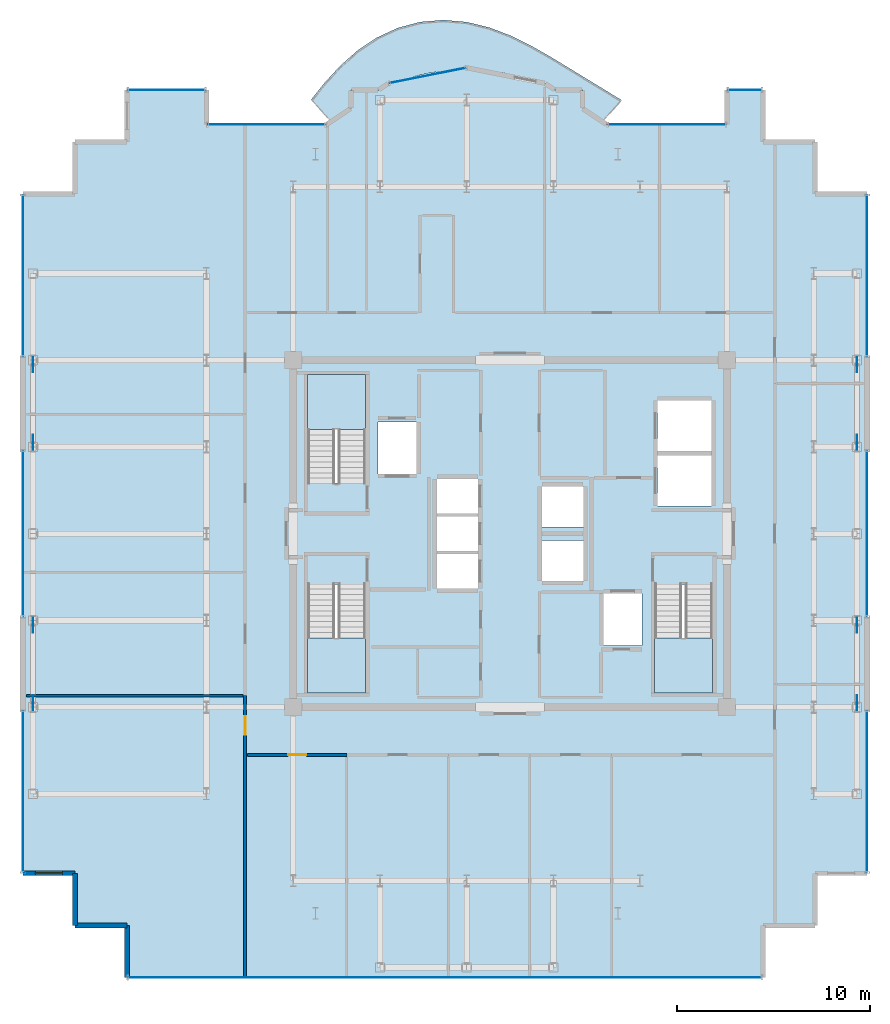
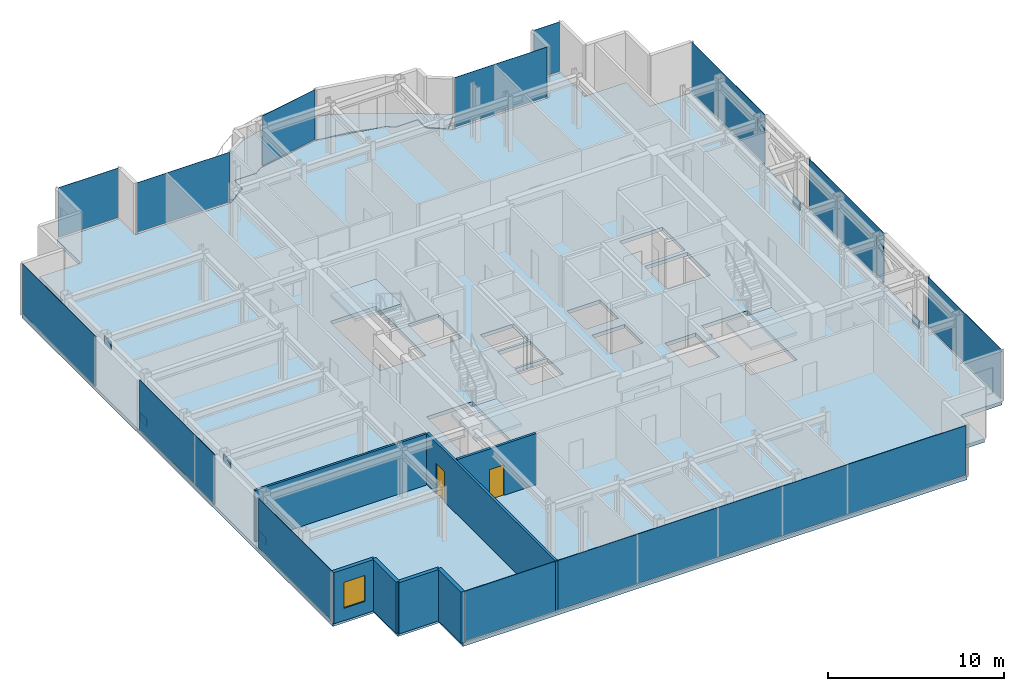
# One storey, part 10 of 16: 20 plates, 7 walls, 5 slabs, 2 doors, 1 window, 3 openings, 15 elements without a shape of their own.
"""IFC4 building model written with IfcOpenShell, lengths in metres."""

import ifcopenshell
import ifcopenshell.guid

model = None  # the IFC model being written
_history = None  # IfcOwnerHistory: only IFC2X3 demands one
_inside = {}  # id of a spatial element -> (the spatial element, [elements in it])
_under = {}  # id of a project, library or spatial element -> (it, [spatial elements below it])
_declared = {}  # id of a project -> (the project, [libraries it declares])
_typed = {}  # id of a type object -> (the type object, [elements of that type])
_made_of = {}  # id of a material, layer set ... -> (it, [elements and type objects made of it])


def new_model(schema):
    """Start an empty IFC model of exactly this schema.

    Asked for "IFC4X3", IfcOpenShell would pick the latest addendum, in which some entities
    have other attributes; the version numbers below select the first issue.
    IFC2X3 requires an IfcOwnerHistory on every rooted entity: one is made here for all.
    """
    global model, _history
    if schema == "IFC4X3":
        model = ifcopenshell.file(schema_version=(4, 3, 0, 0))
    else:
        model = ifcopenshell.file(schema=schema)
    _inside.clear()
    _under.clear()
    _declared.clear()
    _typed.clear()
    _made_of.clear()
    _history = None
    if model.schema == "IFC2X3":
        org = make("IfcOrganization", Name="unknown")
        user = make(
            "IfcPersonAndOrganization",
            ThePerson=make("IfcPerson", FamilyName="unknown"),
            TheOrganization=org,
        )
        app = make(
            "IfcApplication",
            ApplicationDeveloper=org,
            Version="unknown",
            ApplicationFullName="unknown",
            ApplicationIdentifier="unknown",
        )
        _history = make(
            "IfcOwnerHistory",
            OwningUser=user,
            OwningApplication=app,
            ChangeAction="ADDED",
            CreationDate=0,
        )
    return model


def make(cls, **values):
    """One entity of the class cls with the attributes given. An attribute that is None is left unset."""
    return model.create_entity(
        cls, **{name: value for name, value in values.items() if value is not None}
    )


def rooted(cls, **values):
    """An entity with a GlobalId (a new one), such as an element, a storey or a relation."""
    return make(cls, GlobalId=ifcopenshell.guid.new(), OwnerHistory=_history, **values)


def si_unit(unit_type, name, prefix=None):
    """IfcSIUnit, for example si_unit("LENGTHUNIT", "METRE", prefix="MILLI")."""
    return make("IfcSIUnit", UnitType=unit_type, Prefix=prefix, Name=name)


def assignment(units):
    """IfcUnitAssignment: the units of a project."""
    return None if units is None else make("IfcUnitAssignment", Units=units)


def point(xyz):
    """IfcCartesianPoint."""
    return None if xyz is None else make("IfcCartesianPoint", Coordinates=xyz)


def direction(xyz):
    """IfcDirection."""
    return None if xyz is None else make("IfcDirection", DirectionRatios=xyz)


def frame(location, z_axis=None, x_axis=None):
    """IfcAxis2Placement3D, a coordinate frame: its origin and axes. An axis left out is left unset."""
    return make(
        "IfcAxis2Placement3D",
        Location=point(location),
        Axis=direction(z_axis),
        RefDirection=direction(x_axis),
    )


def frame_2d(location, x_axis=None):
    """IfcAxis2Placement2D, a coordinate frame in the plane: its origin and x axis."""
    return make(
        "IfcAxis2Placement2D", Location=point(location), RefDirection=direction(x_axis)
    )


def origin():
    """The frame at (0, 0, 0) with its axes left unset."""
    return frame((0.0, 0.0, 0.0))


def origin_2d():
    """The frame at (0, 0) in the plane with its x axis left unset."""
    return frame_2d((0.0, 0.0))


def place(relative_to, where):
    """IfcLocalPlacement: puts the frame where relative to a parent placement (None: the world)."""
    return make(
        "IfcLocalPlacement", PlacementRelTo=relative_to, RelativePlacement=where
    )


def context(
    kind, dimensions, precision=None, world=None, true_north=None, identifier=None
):
    """IfcGeometricRepresentationContext, for example the 3D "Model" context."""
    return make(
        "IfcGeometricRepresentationContext",
        ContextIdentifier=identifier,
        ContextType=kind,
        CoordinateSpaceDimension=dimensions,
        Precision=precision,
        WorldCoordinateSystem=world,
        TrueNorth=true_north,
    )


def subcontext(parent, identifier, kind, view, scale=None):
    """IfcGeometricRepresentationSubContext, for example "Body" below "Model"."""
    return make(
        "IfcGeometricRepresentationSubContext",
        ContextIdentifier=identifier,
        ContextType=kind,
        ParentContext=parent,
        TargetScale=scale,
        TargetView=view,
    )


def project(units=None, contexts=None):
    """IfcProject with its units and contexts."""
    return rooted(
        "IfcProject",
        Name="project",
        RepresentationContexts=contexts,
        UnitsInContext=assignment(units),
    )


def spatial(cls, under=None, at=None, **own):
    """A site, building, storey or space (cls), placed at a placement, below another one or the project."""
    s = rooted(cls, ObjectPlacement=at, **own)
    if under is not None:
        _under.setdefault(under.id(), (under, []))[1].append(s)
    return s


def polyline(points):
    """IfcPolyline through the points."""
    return make("IfcPolyline", Points=[point(p) for p in points])


def profile(cls, at=None, kind="AREA", **sizes):
    """A parametric profile (cls). Its sizes go by their IFC names, for example OverallWidth=200.0."""
    return make(cls, ProfileType=kind, Position=at, **sizes)


def rectangle(**sizes):
    """IfcRectangleProfileDef."""
    return profile("IfcRectangleProfileDef", **sizes)


def outline(outer, holes=None, kind="AREA"):
    """IfcArbitraryClosedProfileDef: a profile drawn as a closed curve; with holes, ...WithVoids."""
    if holes is None:
        return make("IfcArbitraryClosedProfileDef", ProfileType=kind, OuterCurve=outer)
    return make(
        "IfcArbitraryProfileDefWithVoids",
        ProfileType=kind,
        OuterCurve=outer,
        InnerCurves=holes,
    )


def extrude(swept, where, along, depth):
    """IfcExtrudedAreaSolid: the profile swept, set in the frame where, extruded along a direction by depth."""
    return make(
        "IfcExtrudedAreaSolid",
        SweptArea=swept,
        Position=where,
        ExtrudedDirection=direction(along),
        Depth=depth,
    )


def shape(context_of_items, identifier, shape_type, items):
    """IfcShapeRepresentation: the items that make up one representation, for example the "Body"."""
    return make(
        "IfcShapeRepresentation",
        ContextOfItems=context_of_items,
        RepresentationIdentifier=identifier,
        RepresentationType=shape_type,
        Items=items,
    )


def source(mapping_origin, context_of_items, identifier, shape_type, items):
    """IfcRepresentationMap: a shape defined once, which mapped items show again and again."""
    return make(
        "IfcRepresentationMap",
        MappingOrigin=mapping_origin,
        MappedRepresentation=shape(context_of_items, identifier, shape_type, items),
    )


def transform(
    local_origin,
    x_axis=None,
    y_axis=None,
    z_axis=None,
    scale=None,
    scale2=None,
    scale3=None,
    uniform=True,
):
    """IfcCartesianTransformationOperator3D, or its non-uniform kind. x_axis, y_axis, z_axis: its Axis1, 2, 3."""
    if uniform:
        return make(
            "IfcCartesianTransformationOperator3D",
            Axis1=direction(x_axis),
            Axis2=direction(y_axis),
            LocalOrigin=point(local_origin),
            Scale=scale,
            Axis3=direction(z_axis),
        )
    return make(
        "IfcCartesianTransformationOperator3DnonUniform",
        Axis1=direction(x_axis),
        Axis2=direction(y_axis),
        LocalOrigin=point(local_origin),
        Scale=scale,
        Axis3=direction(z_axis),
        Scale2=scale2,
        Scale3=scale3,
    )


def mapped(mapping_source, mapping_target):
    """IfcMappedItem: shows the shape of a source again, moved by a transform."""
    return make(
        "IfcMappedItem", MappingSource=mapping_source, MappingTarget=mapping_target
    )


def material(Name=None, Category=None):
    """IfcMaterial."""
    return make("IfcMaterial", Name=Name, Category=Category)


def layer(
    of_material, thickness, ventilated=None, Name=None, Category=None, Priority=None
):
    """IfcMaterialLayer: one layer of a wall or slab, of a material (None: an air gap)."""
    return make(
        "IfcMaterialLayer",
        Material=of_material,
        LayerThickness=thickness,
        IsVentilated=ventilated,
        Name=Name,
        Category=Category,
        Priority=Priority,
    )


def layer_set(layers, Name=None):
    """IfcMaterialLayerSet."""
    return make("IfcMaterialLayerSet", MaterialLayers=layers, LayerSetName=Name)


def made_of(thing, what):
    """Note that an element or type object is made of a material, layer set ...; save() writes the relation."""
    if what is not None:
        _made_of.setdefault(what.id(), (what, []))[1].append(thing)
    return thing


def type_object(cls, material=None, **own):
    """A type object (cls), such as IfcWallType, which elements share."""
    return made_of(rooted(cls, **own), material)


def element(
    cls,
    number,
    at=None,
    inside=None,
    cuts=None,
    type_object=None,
    material=None,
    context=None,
    identifier="Body",
    shape_type=None,
    held_by="IfcProductDefinitionShape",
    body=None,
    shapes=None,
    **own,
):
    """One element of the class cls, such as IfcWall. Its Tag is "e" and its number.

    at: its placement. inside: the storey or other place that contains it. cuts: it is an
    opening in that element (IfcRelVoidsElement). A single representation is given by context,
    identifier, shape_type and body (its items); several are given by shapes. held_by: the class
    of the entity that holds the representations. save() writes the other relations.
    """
    e = rooted(cls, Tag="e%d" % number, ObjectPlacement=at, **own)
    if body is not None:
        shapes = [shape(context, identifier, shape_type, body)]
    if shapes is not None:
        e.Representation = make(held_by, Representations=shapes)
    if inside is not None:
        _inside.setdefault(inside.id(), (inside, []))[1].append(e)
    if cuts is not None:
        rooted(
            "IfcRelVoidsElement", RelatingBuildingElement=cuts, RelatedOpeningElement=e
        )
    if type_object is not None:
        _typed.setdefault(type_object.id(), (type_object, []))[1].append(e)
    return made_of(e, material)


def fill(opening, filler):
    """IfcRelFillsElement: the door or window that sits in an opening."""
    return rooted(
        "IfcRelFillsElement",
        RelatingOpeningElement=opening,
        RelatedBuildingElement=filler,
    )


def aggregate(whole, parts):
    """IfcRelAggregates: a whole, such as a stair, and the parts it consists of."""
    return rooted("IfcRelAggregates", RelatingObject=whole, RelatedObjects=parts)


def save(model, path):
    """Write the relations noted so far, then the file.

    IfcRelAggregates (storeys below a building ...), IfcRelContainedInSpatialStructure (elements
    in a storey), IfcRelDefinesByType, IfcRelAssociatesMaterial and IfcRelDeclares: one each for
    every whole, place, type object, material and project.
    """
    for whole, parts in _under.values():
        aggregate(whole, parts)
    for where, things in _inside.values():
        rooted(
            "IfcRelContainedInSpatialStructure",
            RelatedElements=things,
            RelatingStructure=where,
        )
    for kind, things in _typed.values():
        rooted("IfcRelDefinesByType", RelatedObjects=things, RelatingType=kind)
    for what, things in _made_of.values():
        rooted("IfcRelAssociatesMaterial", RelatedObjects=things, RelatingMaterial=what)
    for by, libraries in _declared.values():
        rooted("IfcRelDeclares", RelatingContext=by, RelatedDefinitions=libraries)
    model.write(path)


model = new_model("IFC4")

# Units and contexts
model_context = context("Model", 3, precision=1e-05, world=origin(), true_north=direction((0.0, 1.0)))
body_context = subcontext(model_context, "Body", "Model", "MODEL_VIEW")
ifc_project = project(units=[si_unit("LENGTHUNIT", "METRE"), si_unit("AREAUNIT", "SQUARE_METRE"), si_unit("VOLUMEUNIT", "CUBIC_METRE"), si_unit("PLANEANGLEUNIT", "RADIAN"), si_unit("MASSUNIT", "GRAM", prefix="KILO")], contexts=[model_context])

# Site, building, storey
site_placement = place(None, origin())
site = spatial("IfcSite", under=ifc_project, at=site_placement, CompositionType="ELEMENT")
building_placement = place(site_placement, origin())
building = spatial("IfcBuilding", under=site, at=building_placement, Name="Nefas-Gora Pilgrimage Tower", CompositionType="ELEMENT")
storey_placement = place(building_placement, frame((0.0, 0.0, 322.39990234375)))
storey = spatial("IfcBuildingStorey", under=building, at=storey_placement, Name="L81", CompositionType="ELEMENT", Elevation=322.39990234375)

# Slabs
ifc_material_1 = material(Name="Concrete C40/50", Category="concrete")
ifc_layer_1 = layer(ifc_material_1, 0.22998046875)
ifc_layer_set_1 = layer_set([ifc_layer_1], Name="Concrete C40/50")
slab_type_1 = type_object("IfcSlabType", Name="SLB-BAL-P5", PredefinedType="FLOOR", material=ifc_layer_set_1)
slab_1_placement = place(storey_placement, frame((0.0, 0.0, -0.22998046875)))
element("IfcSlab", 1, at=slab_1_placement, inside=storey, type_object=slab_type_1, Name="L81 Sinusoidal Lobe Balcony Slab N (Phase 5)", PredefinedType="FLOOR", context=body_context, shape_type="SweptSolid", body=[
    extrude(outline(polyline([(-9.28759765625, 21.385986328125), (-9.224609375, 21.427978515625), (-8.538330078125, 21.9912109375), (-8.260009765625, 22.179931640625), (-8.260009765625, 23.02001953125), (-8.260009765625, 23.02099609375), (-8.259765625, 23.02197265625), (-8.259521484375, 23.02294921875), (-8.25927734375, 23.023681640625), (-8.2587890625, 23.024658203125), (-8.25830078125, 23.025634765625), (-8.2578125, 23.0263671875), (-8.257080078125, 23.027099609375), (-8.25634765625, 23.027587890625), (-8.255615234375, 23.0283203125), (-8.254638671875, 23.02880859375), (-8.25390625, 23.029296875), (-8.2529296875, 23.029541015625), (-8.251953125, 23.02978515625), (-8.2509765625, 23.030029296875), (-8.25, 23.030029296875), (-6.8271484375, 23.030029296875), (-6.31298828125, 23.37353515625), (-6.31201171875, 23.3740234375), (-6.311279296875, 23.37451171875), (-6.310302734375, 23.375), (-6.309326171875, 23.375), (-5.63037109375, 23.51025390625), (-5.102783203125, 23.685302734375), (-4.165283203125, 23.904052734375), (-3.211669921875, 24.035888671875), (-2.919921875, 24.04931640625), (-2.251953125, 24.18212890625), (-2.2509765625, 24.182373046875), (-2.25, 24.182373046875), (-2.2490234375, 24.182373046875), (-2.248046875, 24.18212890625), (-1.580078125, 24.04931640625), (-1.288330078125, 24.035888671875), (-0.334716796875, 23.904052734375), (0.602783203125, 23.685302734375), (1.13037109375, 23.51025390625), (1.809326171875, 23.375), (1.810302734375, 23.375), (1.811279296875, 23.37451171875), (1.81201171875, 23.3740234375), (1.81298828125, 23.37353515625), (2.3271484375, 23.030029296875), (3.75, 23.030029296875), (3.7509765625, 23.030029296875), (3.751953125, 23.02978515625), (3.7529296875, 23.029541015625), (3.75390625, 23.029296875), (3.754638671875, 23.02880859375), (3.755615234375, 23.0283203125), (3.75634765625, 23.027587890625), (3.757080078125, 23.027099609375), (3.7578125, 23.0263671875), (3.75830078125, 23.025634765625), (3.7587890625, 23.024658203125), (3.75927734375, 23.023681640625), (3.759521484375, 23.02294921875), (3.759765625, 23.02197265625), (3.760009765625, 23.02099609375), (3.760009765625, 23.02001953125), (3.760009765625, 22.179931640625), (4.038330078125, 21.9912109375), (4.724609375, 21.427978515625), (4.78759765625, 21.385986328125), (5.782958984375, 22.491455078125), (4.843017578125, 23.068603515625), (3.91552734375, 23.631103515625), (2.99072265625, 24.197265625), (2.048583984375, 24.768310546875), (1.06591796875, 25.326904296875), (0.02392578125, 25.83935546875), (-1.083984375, 26.2607421875), (-2.25, 26.5439453125), (-3.45166015625, 26.6484375), (-4.6552734375, 26.548095703125), (-5.822509765625, 26.23681640625), (-6.917724609375, 25.729736328125), (-7.916015625, 25.059814453125), (-8.807861328125, 24.271240234375), (-9.599365234375, 23.412109375), (-10.3115234375, 22.523193359375), (-9.28759765625, 21.385986328125)])), origin(), (0.0, 0.0, 1.0), 0.22998046875),
])
ifc_layer_2 = layer(ifc_material_1, 0.25)
ifc_layer_set_2 = layer_set([ifc_layer_2], Name="Concrete C40/50")
slab_type_2 = type_object("IfcSlabType", Name="SLB-TWR-260", PredefinedType="FLOOR", material=ifc_layer_set_2)
slab_2_placement = place(storey_placement, frame((0.0, 0.0, -0.25)))
element("IfcSlab", 2, at=slab_2_placement, inside=storey, type_object=slab_type_2, Name="L81 Structural Floor Slab", PredefinedType="FLOOR", context=body_context, shape_type="SweptSolid", body=[
    extrude(outline(polyline([(15.820068359375, -17.6201171875), (18.52001953125, -17.6201171875), (18.52001953125, 17.6201171875), (15.820068359375, 17.6201171875), (15.820068359375, 20.320068359375), (13.1201171875, 20.320068359375), (13.1201171875, 23.02001953125), (11.25, 23.02001953125), (11.25, 21.219970703125), (5.01806640625, 21.219970703125), (3.75, 22.0673828125), (3.75, 23.02001953125), (2.32421875, 23.02001953125), (1.807373046875, 23.365234375), (-2.25, 24.17236328125), (-6.307373046875, 23.365234375), (-6.82421875, 23.02001953125), (-8.25, 23.02001953125), (-8.25, 22.0673828125), (-9.51806640625, 21.219970703125), (-15.75, 21.219970703125), (-15.75, 23.02001953125), (-19.8701171875, 23.02001953125), (-19.8701171875, 20.320068359375), (-22.570068359375, 20.320068359375), (-22.570068359375, 17.6201171875), (-25.27001953125, 17.6201171875), (-25.27001953125, -17.6201171875), (-22.570068359375, -17.6201171875), (-22.570068359375, -20.320068359375), (-19.8701171875, -20.320068359375), (-19.8701171875, -23.02001953125), (13.1201171875, -23.02001953125), (13.1201171875, -20.320068359375), (15.820068359375, -20.320068359375), (15.820068359375, -17.6201171875)]), holes=[polyline([(-10.5, 2.639892578125), (-10.5, 8.25), (-7.5, 8.25), (-7.5, 2.639892578125), (-10.5, 2.639892578125)]), polyline([(10.5, -2.639892578125), (10.5, -8.25), (7.5, -8.25), (7.5, -2.639892578125), (10.5, -2.639892578125)]), polyline([(-7.5, -2.639892578125), (-7.5, -8.25), (-10.5, -8.25), (-10.5, -2.639892578125), (-7.5, -2.639892578125)]), polyline([(-6.85009765625, 5.800048828125), (-4.85009765625, 5.800048828125), (-4.85009765625, 3.10009765625), (-6.85009765625, 3.10009765625), (-6.85009765625, 5.800048828125)]), polyline([(4.85009765625, -3.10009765625), (6.85009765625, -3.10009765625), (6.85009765625, -5.800048828125), (4.85009765625, -5.800048828125), (4.85009765625, -3.10009765625)]), polyline([(7.64990234375, 4.050048828125), (10.449951171875, 4.050048828125), (10.449951171875, 1.449951171875), (7.64990234375, 1.449951171875), (7.64990234375, 4.050048828125)]), polyline([(7.64990234375, 6.89990234375), (10.449951171875, 6.89990234375), (10.449951171875, 4.300048828125), (7.64990234375, 4.300048828125), (7.64990234375, 6.89990234375)]), polyline([(-3.800048828125, -1.050048828125), (-1.64990234375, -1.050048828125), (-1.64990234375, -2.85009765625), (-3.800048828125, -2.85009765625), (-3.800048828125, -1.050048828125)]), polyline([(-3.800048828125, 0.89990234375), (-1.64990234375, 0.89990234375), (-1.64990234375, -0.89990234375), (-3.800048828125, -0.89990234375), (-3.800048828125, 0.89990234375)]), polyline([(-3.800048828125, 2.85009765625), (-1.64990234375, 2.85009765625), (-1.64990234375, 1.050048828125), (-3.800048828125, 1.050048828125), (-3.800048828125, 2.85009765625)]), polyline([(1.64990234375, -0.35009765625), (3.800048828125, -0.35009765625), (3.800048828125, -2.449951171875), (1.64990234375, -2.449951171875), (1.64990234375, -0.35009765625)]), polyline([(1.64990234375, 2.449951171875), (3.800048828125, 2.449951171875), (3.800048828125, 0.35009765625), (1.64990234375, 0.35009765625), (1.64990234375, 2.449951171875)])]), origin(), (0.0, 0.0, 1.0), 0.25),
])

# Stair, slab
ifc_material_2 = material(Name="Concrete C45/55", Category="concrete")
stair_type = type_object("IfcStairType", Name="STR-1400-R1727", PredefinedType="HALF_TURN_STAIR", material=ifc_material_2)
stair_1_placement = place(storey_placement, origin())
stair_1 = element("IfcStair", 3, at=stair_1_placement, inside=storey, type_object=stair_type, Name="L81 Pressurised Tower Exit Stair ST-01", PredefinedType="HALF_TURN_STAIR")
ifc_layer_3 = layer(ifc_material_1, 0.199951171875)
ifc_layer_set_3 = layer_set([ifc_layer_3], Name="Concrete C40/50")
slab_type_3 = type_object("IfcSlabType", Name="STR-LAND-200", PredefinedType="LANDING", material=ifc_layer_set_3)
slab_3_placement = place(storey_placement, frame((0.0, 0.0, 1.7001953125)))
slab_3 = element("IfcSlab", 4, at=slab_3_placement, type_object=slab_type_3, Name="ST-01 landing 1", PredefinedType="LANDING", context=body_context, shape_type="SweptSolid", body=[
    extrude(outline(polyline([(-7.5, 5.39990234375), (-7.5, 8.25), (-10.5, 8.25), (-10.5, 5.39990234375), (-7.5, 5.39990234375)])), origin(), (0.0, 0.0, 1.0), 0.199951171875),
])
aggregate(stair_1, [slab_3])

stair_2_placement = place(storey_placement, origin())
stair_2 = element("IfcStair", 5, at=stair_2_placement, inside=storey, type_object=stair_type, Name="L81 Pressurised Tower Exit Stair ST-02", PredefinedType="HALF_TURN_STAIR")
slab_4_placement = place(storey_placement, frame((0.0, 0.0, 1.7001953125)))
slab_4 = element("IfcSlab", 6, at=slab_4_placement, type_object=slab_type_3, Name="ST-02 landing 1", PredefinedType="LANDING", context=body_context, shape_type="SweptSolid", body=[
    extrude(outline(polyline([(7.5, -5.39990234375), (7.5, -8.25), (10.5, -8.25), (10.5, -5.39990234375), (7.5, -5.39990234375)])), origin(), (0.0, 0.0, 1.0), 0.199951171875),
])
aggregate(stair_2, [slab_4])

stair_3_placement = place(storey_placement, origin())
stair_3 = element("IfcStair", 7, at=stair_3_placement, inside=storey, type_object=stair_type, Name="L81 Pressurised Tower Exit Stair ST-03", PredefinedType="HALF_TURN_STAIR")
slab_5_placement = place(storey_placement, frame((0.0, 0.0, 1.7001953125)))
slab_5 = element("IfcSlab", 8, at=slab_5_placement, type_object=slab_type_3, Name="ST-03 landing 1", PredefinedType="LANDING", context=body_context, shape_type="SweptSolid", body=[
    extrude(outline(polyline([(-10.5, -5.39990234375), (-10.5, -8.25), (-7.5, -8.25), (-7.5, -5.39990234375), (-10.5, -5.39990234375)])), origin(), (0.0, 0.0, 1.0), 0.199951171875),
])
aggregate(stair_3, [slab_5])

# Plates
ifc_material_3 = material(Name="Steel S355", Category="steel")
ifc_layer_4 = layer(ifc_material_3, 0.053955078125)
ifc_layer_set_4 = layer_set([ifc_layer_4], Name="Steel S355")
plate_type_1 = type_object("IfcPlateType", Name="PLT-NODE-N10", PredefinedType="USERDEFINED", material=ifc_layer_set_4)
shared_shape_1 = source(origin(), body_context, "Body", "SweptSolid", [
    extrude(rectangle(XDim=0.780029296875, YDim=0.0380859375, at=origin_2d()), origin(), (0.0, 0.0, 1.0), 0.5400390625),
])
for number, where, z_axis, x_axis, name in (
    (9, (-24.75, -8.761962890625, 0.05029296875), (0.0, 0.0, 1.0), (0.0, 1.0, 0.0), "Structural Node Gusset Plate N10 (L81)"),
    (10, (-24.75, -4.738037109375, 2.9296875), (0.0, 0.0, 1.0), (0.0, 1.0, 0.0), "Structural Node Gusset Plate N10 (L81)"),
    (11, (-24.75, 4.738037109375, 0.05029296875), (0.0, 0.0, 1.0), (0.0, 1.0, 0.0), "Structural Node Gusset Plate N10 (L81)"),
    (12, (-24.75, 8.761962890625, 2.9296875), (0.0, 0.0, 1.0), (0.0, 1.0, 0.0), "Structural Node Gusset Plate N10 (L81)"),
    (13, (18.0, -8.761962890625, 0.05029296875), (0.0, 0.0, 1.0), (0.0, 1.0, 0.0), "Structural Node Gusset Plate N10 (L81)"),
    (14, (18.0, -4.738037109375, 2.9296875), (0.0, 0.0, 1.0), (0.0, 1.0, 0.0), "Structural Node Gusset Plate N10 (L81)"),
    (15, (18.0, 4.738037109375, 0.05029296875), (0.0, 0.0, 1.0), (0.0, 1.0, 0.0), "Structural Node Gusset Plate N10 (L81)"),
    (16, (18.0, 8.761962890625, 2.9296875), (0.0, 0.0, 1.0), (0.0, 1.0, 0.0), "Structural Node Gusset Plate N10 (L81)"),
):
    element("IfcPlate", number, at=place(storey_placement, frame(where, z_axis=z_axis, x_axis=x_axis)), inside=storey, type_object=plate_type_1, Name=name, ObjectType="GUSSET_PLATE", PredefinedType="USERDEFINED", context=body_context, shape_type="MappedRepresentation", body=[
        mapped(shared_shape_1, transform((0.0, 0.0, 0.0), x_axis=(1.0, 0.0, 0.0), y_axis=(0.0, 1.0, 0.0), z_axis=(0.0, 0.0, 1.0), scale=1.0)),
    ])

# Curtain wall, plate
ifc_material_4 = material(Name="Dark ceramic-fritted solar-control aluminium-glass curtain wall", Category="aluminium")
ifc_layer_5 = layer(ifc_material_4, 0.219970703125)
ifc_layer_set_5 = layer_set([ifc_layer_5], Name="Dark ceramic-fritted solar-control aluminium-glass curtain wall")
curtain_wall_type_1 = type_object("IfcCurtainWallType", Name="CW-SYS-5", PredefinedType="NOTDEFINED", material=ifc_layer_set_5)
curtain_wall_1_placement = place(storey_placement, origin())
curtain_wall_1 = element("IfcCurtainWall", 17, at=curtain_wall_1_placement, inside=storey, type_object=curtain_wall_type_1, Name="L81 Unitised Curtain Wall CW5", PredefinedType="NOTDEFINED")
ifc_material_5 = material(Name="Dark ceramic-printed low-e insulated glass", Category="glass")
ifc_layer_6 = layer(ifc_material_5, 0.028076171875)
ifc_layer_set_6 = layer_set([ifc_layer_6], Name="Dark ceramic-printed low-e insulated glass")
plate_type_2 = type_object("IfcPlateType", Name="CWP-PNL-5", PredefinedType="CURTAIN_PANEL", material=ifc_layer_set_6)
shared_shape_2 = source(origin(), body_context, "Body", "SweptSolid", [
    extrude(rectangle(XDim=6.052001953125, YDim=0.028076171875, at=origin_2d()), origin(), (0.0, 0.0, 1.0), 3.43994140625),
])
plate_1_placement = place(storey_placement, frame((8.134033203125, 21.219970703125, 0.10009765625), z_axis=(0.0, 0.0, 1.0), x_axis=(-1.0, 0.0, 0.0)))
plate_1 = element("IfcPlate", 18, at=plate_1_placement, type_object=plate_type_2, Name="CW5 Ceramic-Fritted Glazing Panel 1", PredefinedType="CURTAIN_PANEL", context=body_context, shape_type="MappedRepresentation", body=[
    mapped(shared_shape_2, transform((0.0, 0.0, 0.0), x_axis=(1.0, 0.0, 0.0), y_axis=(0.0, 1.0, 0.0), z_axis=(0.0, 0.0, 1.0), scale=1.0)),
])
aggregate(curtain_wall_1, [plate_1])

curtain_wall_2_placement = place(storey_placement, origin())
curtain_wall_2 = element("IfcCurtainWall", 19, at=curtain_wall_2_placement, inside=storey, type_object=curtain_wall_type_1, Name="L81 Unitised Curtain Wall CW5", PredefinedType="NOTDEFINED")
plate_2_placement = place(storey_placement, frame((-12.634033203125, 21.219970703125, 0.10009765625), z_axis=(0.0, 0.0, 1.0), x_axis=(-1.0, 0.0, 0.0)))
plate_2 = element("IfcPlate", 20, at=plate_2_placement, type_object=plate_type_2, Name="CW5 Ceramic-Fritted Glazing Panel 1", PredefinedType="CURTAIN_PANEL", context=body_context, shape_type="MappedRepresentation", body=[
    mapped(shared_shape_2, transform((0.0, 0.0, 0.0), x_axis=(1.0, 0.0, 0.0), y_axis=(0.0, 1.0, 0.0), z_axis=(0.0, 0.0, 1.0), scale=1.0)),
])
aggregate(curtain_wall_2, [plate_2])

curtain_wall_3_placement = place(storey_placement, origin())
curtain_wall_3 = element("IfcCurtainWall", 21, at=curtain_wall_3_placement, inside=storey, type_object=curtain_wall_type_1, Name="L81 Unitised Curtain Wall CW5", PredefinedType="NOTDEFINED")
shared_shape_3 = source(origin(), body_context, "Body", "SweptSolid", [
    extrude(rectangle(XDim=3.956787109375, YDim=0.028076171875, at=origin_2d()), origin(), (0.0, 0.0, 1.0), 3.43994140625),
])
plate_3_placement = place(storey_placement, frame((-4.278564453125, 23.768798828125, 0.10009765625), z_axis=(0.0, 0.0, 1.0), x_axis=(-0.980782896852, -0.195102304554, 0.0)))
plate_3 = element("IfcPlate", 22, at=plate_3_placement, type_object=plate_type_2, Name="CW5 Ceramic-Fritted Glazing Panel 1", PredefinedType="CURTAIN_PANEL", context=body_context, shape_type="MappedRepresentation", body=[
    mapped(shared_shape_3, transform((0.0, 0.0, 0.0), x_axis=(1.0, 0.0, 0.0), y_axis=(0.0, 1.0, 0.0), z_axis=(0.0, 0.0, 1.0), scale=1.0)),
])
aggregate(curtain_wall_3, [plate_3])

ifc_layer_7 = layer(ifc_material_4, 0.219970703125)
ifc_layer_set_7 = layer_set([ifc_layer_7], Name="Dark ceramic-fritted solar-control aluminium-glass curtain wall")
curtain_wall_type_2 = type_object("IfcCurtainWallType", Name="CW-SYS-4", PredefinedType="NOTDEFINED", material=ifc_layer_set_7)
curtain_wall_4_placement = place(storey_placement, origin())
curtain_wall_4 = element("IfcCurtainWall", 23, at=curtain_wall_4_placement, inside=storey, type_object=curtain_wall_type_2, Name="L81 Unitised Curtain Wall CW4", PredefinedType="NOTDEFINED")
ifc_layer_8 = layer(ifc_material_5, 0.030029296875)
ifc_layer_set_8 = layer_set([ifc_layer_8], Name="Dark ceramic-printed low-e insulated glass")
plate_type_3 = type_object("IfcPlateType", Name="CWP-PNL-4", PredefinedType="CURTAIN_PANEL", material=ifc_layer_set_8)
shared_shape_4 = source(origin(), body_context, "Body", "SweptSolid", [
    extrude(rectangle(XDim=8.2900390625, YDim=0.030029296875, at=origin_2d()), origin(), (0.0, 0.0, 1.0), 3.43994140625),
])
plate_4_placement = place(storey_placement, frame((18.52001953125, -13.385009765625, 0.10009765625), z_axis=(0.0, 0.0, 1.0), x_axis=(0.0, 1.0, 0.0)))
plate_4 = element("IfcPlate", 24, at=plate_4_placement, type_object=plate_type_3, Name="CW4 Ceramic-Fritted Glazing Panel 1", PredefinedType="CURTAIN_PANEL", context=body_context, shape_type="MappedRepresentation", body=[
    mapped(shared_shape_4, transform((0.0, 0.0, 0.0), x_axis=(1.0, 0.0, 0.0), y_axis=(0.0, 1.0, 0.0), z_axis=(0.0, 0.0, 1.0), scale=1.0)),
])
aggregate(curtain_wall_4, [plate_4])

curtain_wall_5_placement = place(storey_placement, origin())
curtain_wall_5 = element("IfcCurtainWall", 25, at=curtain_wall_5_placement, inside=storey, type_object=curtain_wall_type_2, Name="L81 Unitised Curtain Wall CW4", PredefinedType="NOTDEFINED")
plate_5_placement = place(storey_placement, frame((18.52001953125, 13.385009765625, 0.10009765625), z_axis=(0.0, 0.0, 1.0), x_axis=(0.0, 1.0, 0.0)))
plate_5 = element("IfcPlate", 26, at=plate_5_placement, type_object=plate_type_3, Name="CW4 Ceramic-Fritted Glazing Panel 1", PredefinedType="CURTAIN_PANEL", context=body_context, shape_type="MappedRepresentation", body=[
    mapped(shared_shape_4, transform((0.0, 0.0, 0.0), x_axis=(1.0, 0.0, 0.0), y_axis=(0.0, 1.0, 0.0), z_axis=(0.0, 0.0, 1.0), scale=1.0)),
])
aggregate(curtain_wall_5, [plate_5])

curtain_wall_6_placement = place(storey_placement, origin())
curtain_wall_6 = element("IfcCurtainWall", 27, at=curtain_wall_6_placement, inside=storey, type_object=curtain_wall_type_2, Name="L81 Unitised Curtain Wall CW4", PredefinedType="NOTDEFINED")
plate_6_placement = place(storey_placement, frame((-25.27001953125, 13.385009765625, 0.10009765625), z_axis=(0.0, 0.0, 1.0), x_axis=(0.0, -1.0, 0.0)))
plate_6 = element("IfcPlate", 28, at=plate_6_placement, type_object=plate_type_3, Name="CW4 Ceramic-Fritted Glazing Panel 1", PredefinedType="CURTAIN_PANEL", context=body_context, shape_type="MappedRepresentation", body=[
    mapped(shared_shape_4, transform((0.0, 0.0, 0.0), x_axis=(1.0, 0.0, 0.0), y_axis=(0.0, 1.0, 0.0), z_axis=(0.0, 0.0, 1.0), scale=1.0)),
])
aggregate(curtain_wall_6, [plate_6])

curtain_wall_7_placement = place(storey_placement, origin())
curtain_wall_7 = element("IfcCurtainWall", 29, at=curtain_wall_7_placement, inside=storey, type_object=curtain_wall_type_2, Name="L81 Unitised Curtain Wall CW4", PredefinedType="NOTDEFINED")
plate_7_placement = place(storey_placement, frame((-25.27001953125, -13.385009765625, 0.10009765625), z_axis=(0.0, 0.0, 1.0), x_axis=(0.0, -1.0, 0.0)))
plate_7 = element("IfcPlate", 30, at=plate_7_placement, type_object=plate_type_3, Name="CW4 Ceramic-Fritted Glazing Panel 1", PredefinedType="CURTAIN_PANEL", context=body_context, shape_type="MappedRepresentation", body=[
    mapped(shared_shape_4, transform((0.0, 0.0, 0.0), x_axis=(1.0, 0.0, 0.0), y_axis=(0.0, 1.0, 0.0), z_axis=(0.0, 0.0, 1.0), scale=1.0)),
])
aggregate(curtain_wall_7, [plate_7])

curtain_wall_8_placement = place(storey_placement, origin())
curtain_wall_8 = element("IfcCurtainWall", 31, at=curtain_wall_8_placement, inside=storey, type_object=curtain_wall_type_2, Name="L81 Unitised Curtain Wall CW4", PredefinedType="NOTDEFINED")
shared_shape_5 = source(origin(), body_context, "Body", "SweptSolid", [
    extrude(rectangle(XDim=8.52001953125, YDim=0.030029296875, at=origin_2d()), origin(), (0.0, 0.0, 1.0), 3.43994140625),
])
plate_8_placement = place(storey_placement, frame((18.52001953125, 0.0, 0.10009765625), z_axis=(0.0, 0.0, 1.0), x_axis=(0.0, 1.0, 0.0)))
plate_8 = element("IfcPlate", 32, at=plate_8_placement, type_object=plate_type_3, Name="CW4 Ceramic-Fritted Glazing Panel 1", PredefinedType="CURTAIN_PANEL", context=body_context, shape_type="MappedRepresentation", body=[
    mapped(shared_shape_5, transform((0.0, 0.0, 0.0), x_axis=(1.0, 0.0, 0.0), y_axis=(0.0, 1.0, 0.0), z_axis=(0.0, 0.0, 1.0), scale=1.0)),
])
aggregate(curtain_wall_8, [plate_8])

curtain_wall_9_placement = place(storey_placement, origin())
curtain_wall_9 = element("IfcCurtainWall", 33, at=curtain_wall_9_placement, inside=storey, type_object=curtain_wall_type_2, Name="L81 Unitised Curtain Wall CW4", PredefinedType="NOTDEFINED")
plate_9_placement = place(storey_placement, frame((-25.27001953125, 0.0, 0.10009765625), z_axis=(0.0, 0.0, 1.0), x_axis=(0.0, -1.0, 0.0)))
plate_9 = element("IfcPlate", 34, at=plate_9_placement, type_object=plate_type_3, Name="CW4 Ceramic-Fritted Glazing Panel 1", PredefinedType="CURTAIN_PANEL", context=body_context, shape_type="MappedRepresentation", body=[
    mapped(shared_shape_5, transform((0.0, 0.0, 0.0), x_axis=(1.0, 0.0, 0.0), y_axis=(0.0, 1.0, 0.0), z_axis=(0.0, 0.0, 1.0), scale=1.0)),
])
aggregate(curtain_wall_9, [plate_9])

curtain_wall_10_placement = place(storey_placement, origin())
curtain_wall_10 = element("IfcCurtainWall", 35, at=curtain_wall_10_placement, inside=storey, type_object=curtain_wall_type_2, Name="L81 Unitised Curtain Wall CW4", PredefinedType="NOTDEFINED")
shared_shape_6 = source(origin(), body_context, "Body", "SweptSolid", [
    extrude(rectangle(XDim=1.68994140625, YDim=0.030029296875, at=origin_2d()), origin(), (0.0, 0.0, 1.0), 3.43994140625),
])
plate_10_placement = place(storey_placement, frame((12.18505859375, 23.02001953125, 0.10009765625), z_axis=(0.0, 0.0, 1.0), x_axis=(-1.0, 0.0, 0.0)))
plate_10 = element("IfcPlate", 36, at=plate_10_placement, type_object=plate_type_3, Name="CW4 Ceramic-Fritted Glazing Panel 1", PredefinedType="CURTAIN_PANEL", context=body_context, shape_type="MappedRepresentation", body=[
    mapped(shared_shape_6, transform((0.0, 0.0, 0.0), x_axis=(1.0, 0.0, 0.0), y_axis=(0.0, 1.0, 0.0), z_axis=(0.0, 0.0, 1.0), scale=1.0)),
])
aggregate(curtain_wall_10, [plate_10])

curtain_wall_11_placement = place(storey_placement, origin())
curtain_wall_11 = element("IfcCurtainWall", 37, at=curtain_wall_11_placement, inside=storey, type_object=curtain_wall_type_2, Name="L81 Unitised Curtain Wall CW4", PredefinedType="NOTDEFINED")
shared_shape_7 = source(origin(), body_context, "Body", "SweptSolid", [
    extrude(rectangle(XDim=3.93994140625, YDim=0.030029296875, at=origin_2d()), origin(), (0.0, 0.0, 1.0), 3.43994140625),
])
plate_11_placement = place(storey_placement, frame((-17.81005859375, 23.02001953125, 0.10009765625), z_axis=(0.0, 0.0, 1.0), x_axis=(-1.0, 0.0, 0.0)))
plate_11 = element("IfcPlate", 38, at=plate_11_placement, type_object=plate_type_3, Name="CW4 Ceramic-Fritted Glazing Panel 1", PredefinedType="CURTAIN_PANEL", context=body_context, shape_type="MappedRepresentation", body=[
    mapped(shared_shape_7, transform((0.0, 0.0, 0.0), x_axis=(1.0, 0.0, 0.0), y_axis=(0.0, 1.0, 0.0), z_axis=(0.0, 0.0, 1.0), scale=1.0)),
])
aggregate(curtain_wall_11, [plate_11])

curtain_wall_12_placement = place(storey_placement, origin())
curtain_wall_12 = element("IfcCurtainWall", 39, at=curtain_wall_12_placement, inside=storey, type_object=curtain_wall_type_2, Name="L81 Unitised Curtain Wall CW4", PredefinedType="NOTDEFINED")
shared_shape_8 = source(origin(), body_context, "Body", "SweptSolid", [
    extrude(rectangle(XDim=32.81005859375, YDim=0.030029296875, at=origin_2d()), origin(), (0.0, 0.0, 1.0), 3.43994140625),
])
plate_12_placement = place(storey_placement, frame((-3.375, -23.02001953125, 0.10009765625), z_axis=(0.0, 0.0, 1.0), x_axis=(1.0, 0.0, 0.0)))
plate_12 = element("IfcPlate", 40, at=plate_12_placement, type_object=plate_type_3, Name="CW4 Ceramic-Fritted Glazing Panel 1", PredefinedType="CURTAIN_PANEL", context=body_context, shape_type="MappedRepresentation", body=[
    mapped(shared_shape_8, transform((0.0, 0.0, 0.0), x_axis=(1.0, 0.0, 0.0), y_axis=(0.0, 1.0, 0.0), z_axis=(0.0, 0.0, 1.0), scale=1.0)),
])
aggregate(curtain_wall_12, [plate_12])

# Wall, opening, window
ifc_material_6 = material(Name="Precast concrete C45/55", Category="concrete")
ifc_layer_9 = layer(ifc_material_6, 0.239990234375)
ifc_layer_set_9 = layer_set([ifc_layer_9], Name="Precast concrete C45/55")
wall_type_1 = type_object("IfcWallType", Name="EW-SERR-240", PredefinedType="SHEAR", material=ifc_layer_set_9)
shared_shape_9 = source(origin(), body_context, "Body", "SweptSolid", [
    extrude(rectangle(XDim=2.699951171875, YDim=0.239990234375, at=frame_2d((1.35009765625, 0.0))), origin(), (0.0, 0.0, 1.0), 3.550048828125),
])
wall_1_placement = place(storey_placement, frame((-25.27001953125, -17.6201171875, 0.0), z_axis=(0.0, 0.0, 1.0), x_axis=(1.0, 0.0, 0.0)))
wall_1 = element("IfcWall", 41, at=wall_1_placement, inside=storey, type_object=wall_type_1, Name="L81 Serrated Corner Shear Pier Wall 25", PredefinedType="SHEAR", context=body_context, shape_type="MappedRepresentation", body=[
    mapped(shared_shape_9, transform((0.0, 0.0, 0.0), x_axis=(1.0, 0.0, 0.0), y_axis=(0.0, 1.0, 0.0), z_axis=(0.0, 0.0, 1.0), scale=1.0)),
])
opening_1_placement = place(wall_1_placement, frame((0.64990234375, 0.0, 0.85009765625)))
opening_1 = element("IfcOpeningElement", 42, at=opening_1_placement, cuts=wall_1, Name="Opening W-V2", PredefinedType="OPENING", context=body_context, shape_type="SweptSolid", body=[
    extrude(rectangle(XDim=1.39990234375, YDim=1.800048828125, at=frame_2d((0.699951171875, 0.89990234375))), frame((0.0, 0.1298828125, 0.0), z_axis=(0.0, -1.0, 0.0), x_axis=(1.0, 0.0, 0.0)), (0.0, 0.0, 1.0), 0.260009765625),
])
ifc_material_7 = material(Name="Dark ceramic-fritted operable aluminium-glass window", Category="aluminium")
window_type = type_object("IfcWindowType", Name="WIN-VENT-1400x1800", PartitioningType="SINGLE_PANEL", PredefinedType="WINDOW", material=ifc_material_7)
shared_shape_10 = source(origin(), body_context, "Body", "SweptSolid", [
    extrude(rectangle(XDim=1.39990234375, YDim=1.800048828125, at=frame_2d((0.699951171875, 0.89990234375))), frame((0.0, 0.030029296875, 0.0), z_axis=(0.0, -1.0, 0.0), x_axis=(1.0, 0.0, 0.0)), (0.0, 0.0, 1.0), 0.06005859375),
])
window_placement = place(opening_1_placement, origin())
window = element("IfcWindow", 43, at=window_placement, inside=storey, type_object=window_type, Name="L81 Operable Parallel-Outswing Window 25", OverallHeight=1.800048828125, OverallWidth=1.39990234375, PartitioningType="SINGLE_PANEL", PredefinedType="WINDOW", context=body_context, shape_type="MappedRepresentation", body=[
    mapped(shared_shape_10, transform((0.0, 0.0, 0.0), x_axis=(1.0, 0.0, 0.0), y_axis=(0.0, 1.0, 0.0), z_axis=(0.0, 0.0, 1.0), scale=1.0)),
])
fill(opening_1, window)

# Walls
for number, where, z_axis, x_axis, name in (
    (44, (-22.570068359375, -17.6201171875, 0.0), (0.0, 0.0, 1.0), (0.0, -1.0, 0.0), "L81 Serrated Corner Shear Pier Wall 26"),
    (45, (-22.570068359375, -20.320068359375, 0.0), (0.0, 0.0, 1.0), (1.0, 0.0, 0.0), "L81 Serrated Corner Shear Pier Wall 27"),
    (46, (-19.8701171875, -20.320068359375, 0.0), (0.0, 0.0, 1.0), (0.0, -1.0, 0.0), "L81 Serrated Corner Shear Pier Wall 28"),
):
    element("IfcWall", number, at=place(storey_placement, frame(where, z_axis=z_axis, x_axis=x_axis)), inside=storey, type_object=wall_type_1, Name=name, PredefinedType="SHEAR", context=body_context, shape_type="MappedRepresentation", body=[
        mapped(shared_shape_9, transform((0.0, 0.0, 0.0), x_axis=(1.0, 0.0, 0.0), y_axis=(0.0, 1.0, 0.0), z_axis=(0.0, 0.0, 1.0), scale=1.0)),
    ])
ifc_material_8 = material(Name="Gypsum twin-stud partition")
ifc_layer_10 = layer(ifc_material_8, 0.139892578125)
ifc_layer_set_10 = layer_set([ifc_layer_10], Name="Gypsum twin-stud partition")
wall_type_2 = type_object("IfcWallType", Name="IW-UNIT-140", PredefinedType="PARTITIONING", material=ifc_layer_set_10)
shared_shape_11 = source(origin(), body_context, "Body", "SweptSolid", [
    extrude(rectangle(XDim=11.219970703125, YDim=0.139892578125, at=frame_2d((5.60986328125, 0.0))), origin(), (0.0, 0.0, 1.0), 3.53515625),
])
wall_2_placement = place(storey_placement, frame((-25.080078125, -8.405029296875, 0.0), z_axis=(0.0, 0.0, 1.0), x_axis=(1.0, 0.0, 0.0)))
element("IfcWall", 47, at=wall_2_placement, inside=storey, type_object=wall_type_2, Name="L81 Pilgrim Tea and Beverage Pantry Partition Wall 34", PredefinedType="PARTITIONING", context=body_context, shape_type="MappedRepresentation", body=[
    mapped(shared_shape_11, transform((0.0, 0.0, 0.0), x_axis=(1.0, 0.0, 0.0), y_axis=(0.0, 1.0, 0.0), z_axis=(0.0, 0.0, 1.0), scale=1.0)),
])

# Wall, opening, door
ifc_material_9 = material(Name="Gypsum acoustic stud partition")
ifc_layer_11 = layer(ifc_material_9, 0.159912109375)
ifc_layer_set_11 = layer_set([ifc_layer_11], Name="Gypsum acoustic stud partition")
wall_type_3 = type_object("IfcWallType", Name="IW-CORR-160", PredefinedType="PARTITIONING", material=ifc_layer_set_11)
shared_shape_12 = source(origin(), body_context, "Body", "SweptSolid", [
    extrude(rectangle(XDim=14.64501953125, YDim=0.159912109375, at=frame_2d((7.322509765625, 0.0))), origin(), (0.0, 0.0, 1.0), 3.53515625),
])
wall_3_placement = place(storey_placement, frame((-13.739990234375, -23.0400390625, 0.0), z_axis=(0.0, 0.0, 1.0), x_axis=(0.0, 1.0, 0.0)))
wall_3 = element("IfcWall", 48, at=wall_3_placement, inside=storey, type_object=wall_type_3, Name="L81 Pilgrim Tea and Beverage Pantry Partition Wall 33", PredefinedType="PARTITIONING", context=body_context, shape_type="MappedRepresentation", body=[
    mapped(shared_shape_12, transform((0.0, 0.0, 0.0), x_axis=(1.0, 0.0, 0.0), y_axis=(0.0, 1.0, 0.0), z_axis=(0.0, 0.0, 1.0), scale=1.0)),
])
opening_2_placement = place(wall_3_placement, frame((12.612548828125, 0.0, 0.0)))
opening_2 = element("IfcOpeningElement", 49, at=opening_2_placement, cuts=wall_3, Name="Opening ID-GR1", PredefinedType="OPENING", context=body_context, shape_type="SweptSolid", body=[
    extrude(rectangle(XDim=0.949951171875, YDim=2.10009765625, at=frame_2d((0.47509765625, 1.050048828125))), frame((0.0, 0.08984375, 0.0), z_axis=(0.0, -1.0, 0.0), x_axis=(1.0, 0.0, 0.0)), (0.0, 0.0, 1.0), 0.179931640625),
])
ifc_material_10 = material(Name="Solid core oak fire-rated guest entrance door")
door_type = type_object("IfcDoorType", Name="DR-INT-GUEST-950", OperationType="NOTDEFINED", PredefinedType="DOOR", material=ifc_material_10)
shared_shape_13 = source(origin(), body_context, "Body", "SweptSolid", [
    extrude(rectangle(XDim=0.949951171875, YDim=2.10009765625, at=frame_2d((0.47509765625, 1.050048828125))), frame((0.0, 0.02490234375, 0.0), z_axis=(0.0, -1.0, 0.0), x_axis=(1.0, 0.0, 0.0)), (0.0, 0.0, 1.0), 0.050048828125),
])
door_1_placement = place(opening_2_placement, origin())
door_1 = element("IfcDoor", 50, at=door_1_placement, inside=storey, type_object=door_type, Name="L81 Pilgrim Tea and Beverage Pantry Door 14", OperationType="SINGLE_SWING_LEFT", OverallHeight=2.10009765625, OverallWidth=0.949951171875, PredefinedType="DOOR", context=body_context, shape_type="MappedRepresentation", body=[
    mapped(shared_shape_13, transform((0.0, 0.0, 0.0), x_axis=(1.0, 0.0, 0.0), y_axis=(0.0, 1.0, 0.0), z_axis=(0.0, 0.0, 1.0), scale=1.0)),
])
fill(opening_2, door_1)

shared_shape_14 = source(origin(), body_context, "Body", "SweptSolid", [
    extrude(rectangle(XDim=5.16015625, YDim=0.159912109375, at=frame_2d((2.580078125, 0.0))), origin(), (0.0, 0.0, 1.0), 3.53515625),
])
wall_4_placement = place(storey_placement, frame((-13.6201171875, -11.469970703125, 0.0), z_axis=(0.0, 0.0, 1.0), x_axis=(1.0, 0.0, 0.0)))
wall_4 = element("IfcWall", 51, at=wall_4_placement, inside=storey, type_object=wall_type_3, Name="L81 Pilgrim Contemplative Lounge Partition Wall 55", PredefinedType="PARTITIONING", context=body_context, shape_type="MappedRepresentation", body=[
    mapped(shared_shape_14, transform((0.0, 0.0, 0.0), x_axis=(1.0, 0.0, 0.0), y_axis=(0.0, 1.0, 0.0), z_axis=(0.0, 0.0, 1.0), scale=1.0)),
])
opening_3_placement = place(wall_4_placement, frame((2.10498046875, 0.0, 0.0)))
opening_3 = element("IfcOpeningElement", 52, at=opening_3_placement, cuts=wall_4, Name="Opening ID-GR1", PredefinedType="OPENING", context=body_context, shape_type="SweptSolid", body=[
    extrude(rectangle(XDim=0.949951171875, YDim=2.10009765625, at=frame_2d((0.47509765625, 1.050048828125))), frame((0.0, 0.08984375, 0.0), z_axis=(0.0, -1.0, 0.0), x_axis=(1.0, 0.0, 0.0)), (0.0, 0.0, 1.0), 0.179931640625),
])
door_2_placement = place(opening_3_placement, origin())
door_2 = element("IfcDoor", 53, at=door_2_placement, inside=storey, type_object=door_type, Name="L81 Pilgrim Contemplative Lounge Door 25", OperationType="SINGLE_SWING_RIGHT", OverallHeight=2.10009765625, OverallWidth=0.949951171875, PredefinedType="DOOR", context=body_context, shape_type="MappedRepresentation", body=[
    mapped(shared_shape_13, transform((0.0, 0.0, 0.0), x_axis=(1.0, 0.0, 0.0), y_axis=(0.0, 1.0, 0.0), z_axis=(0.0, 0.0, 1.0), scale=1.0)),
])
fill(opening_3, door_2)

save(model, "model.ifc")
